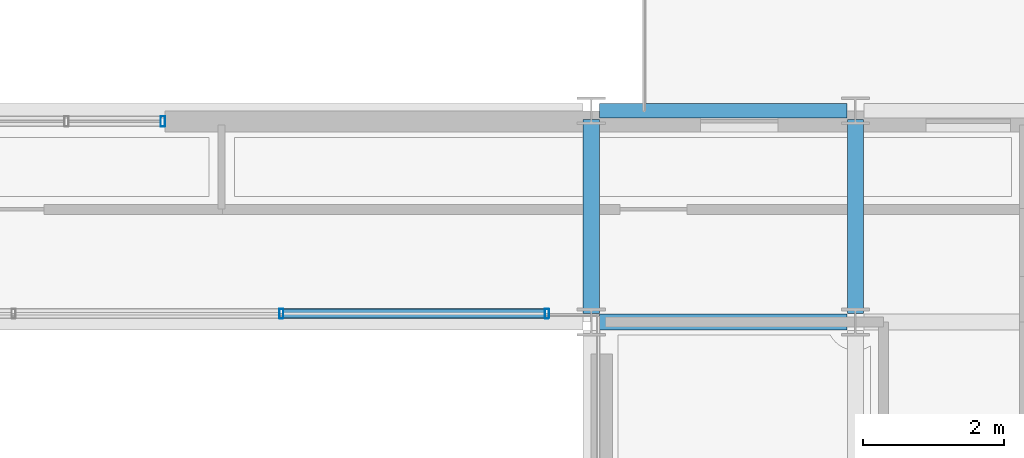
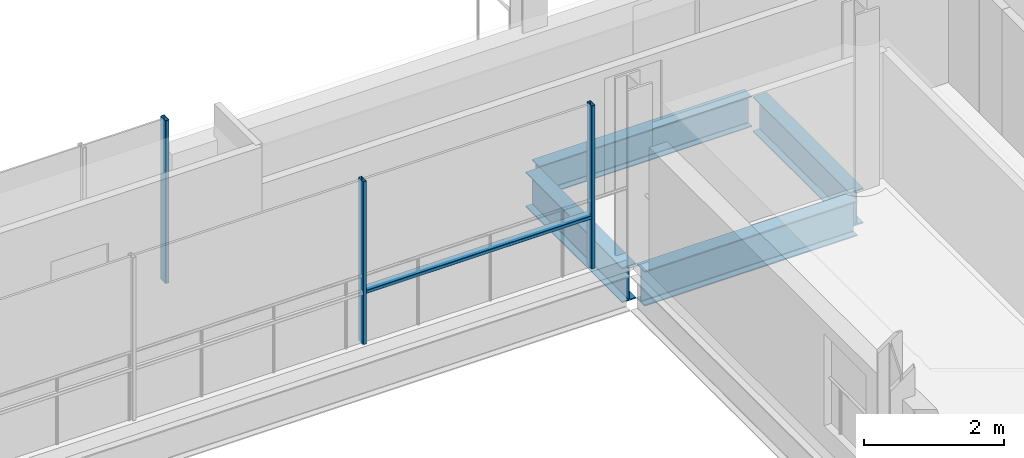
# One storey, part 20 of 36: 4 beams, 4 members, 2 elements without a shape of their own.
"""IFC4 building model written with IfcOpenShell, lengths in metres."""

from ifc_helpers import new_model, si_unit, direction, frame, origin, origin_2d, place, context, subcontext, project, spatial, hollow_rectangle, i_section, extrude, material, layer, layer_set, material_profile, profile_set, type_object, element, aggregate, save


model = new_model("IFC4")

# Units and contexts
model_context = context("Model", 3, precision=1e-05, world=origin(), true_north=direction((0.0, 1.0)))
body_context = subcontext(model_context, "Body", "Model", "MODEL_VIEW")
ifc_project = project(units=[si_unit("LENGTHUNIT", "METRE"), si_unit("AREAUNIT", "SQUARE_METRE"), si_unit("VOLUMEUNIT", "CUBIC_METRE"), si_unit("PLANEANGLEUNIT", "RADIAN"), si_unit("MASSUNIT", "GRAM", prefix="KILO")], contexts=[model_context])

# Site, building, storey
site_placement = place(None, origin())
site = spatial("IfcSite", under=ifc_project, at=site_placement, CompositionType="ELEMENT")
building_placement = place(site_placement, origin())
building = spatial("IfcBuilding", under=site, at=building_placement, Name="Brevholm Reach", CompositionType="ELEMENT")
storey_placement = place(building_placement, frame((0.0, 0.0, 175.89990234375)))
storey = spatial("IfcBuildingStorey", under=building, at=storey_placement, Name="L53", CompositionType="ELEMENT", Elevation=175.89990234375)

# Beams
ifc_material_1 = material(Name="Structural Steel S355J2", Category="steel")
ifc_material_profile_1 = material_profile(ifc_material_1, i_section(OverallWidth=0.209228515625, OverallDepth=0.533203125, WebThickness=0.010009765625, FlangeThickness=0.015625, FilletRadius=0.0126953125, at=origin_2d()), Name="UKB 533x210x92")
ifc_profile_set_1 = profile_set([ifc_material_profile_1], Name="Structural Steel S355J2")
beam_type_1 = type_object("IfcBeamType", Name="BM-SP533", PredefinedType="SPANDREL", material=ifc_profile_set_1)
beam_1_placement = place(storey_placement, frame((38.3701171875, 26.5, -0.4765625), z_axis=(1.0, 0.0, 0.0), x_axis=(0.0, 1.0, 0.0)))
element("IfcBeam", 1, at=beam_1_placement, inside=storey, type_object=beam_type_1, Name="L53 SP-02 Framing Beam", PredefinedType="SPANDREL", context=body_context, shape_type="SweptSolid", body=[
    extrude(i_section(OverallWidth=0.209228515625, OverallDepth=0.533203125, WebThickness=0.010009765625, FlangeThickness=0.015625, FilletRadius=0.0126953125, at=origin_2d()), origin(), (0.0, 0.0, 1.0), 3.509765625),
])
ifc_material_2 = material(Name="Structural Steel S355J2", Category="steel")
ifc_material_profile_2 = material_profile(ifc_material_2, i_section(OverallWidth=0.22900390625, OverallDepth=0.6123046875, WebThickness=0.011962890625, FlangeThickness=0.01953125, FilletRadius=0.0126953125, at=origin_2d()), Name="UKB 610x229x125")
ifc_profile_set_2 = profile_set([ifc_material_profile_2], Name="Structural Steel S355J2")
beam_type_2 = type_object("IfcBeamType", Name="BM-SP610", PredefinedType="SPANDREL", material=ifc_profile_set_2)
beam_2_placement = place(storey_placement, frame((38.3701171875, 23.5, -0.51611328125), z_axis=(1.0, 0.0, 0.0), x_axis=(0.0, 1.0, 0.0)))
element("IfcBeam", 2, at=beam_2_placement, inside=storey, type_object=beam_type_2, Name="L53 SP-01 Framing Beam", PredefinedType="SPANDREL", context=body_context, shape_type="SweptSolid", body=[
    extrude(i_section(OverallWidth=0.22900390625, OverallDepth=0.6123046875, WebThickness=0.011962890625, FlangeThickness=0.01953125, FilletRadius=0.0126953125, at=origin_2d()), origin(), (0.0, 0.0, 1.0), 3.509765625),
])
for number, where, z_axis, x_axis, name in (
    (3, (38.25, 23.6201171875, -0.51611328125), (0.0, 1.0, 0.0), (-1.0, 0.0, 0.0), "L53 SP-01 Framing Beam"),
    (4, (42.0, 23.6201171875, -0.51611328125), (0.0, 1.0, 0.0), (-1.0, 0.0, 0.0), "L53 SP-01 Framing Beam"),
):
    element("IfcBeam", number, at=place(storey_placement, frame(where, z_axis=z_axis, x_axis=x_axis)), inside=storey, type_object=beam_type_2, Name=name, PredefinedType="SPANDREL", context=body_context, shape_type="SweptSolid", body=[
        extrude(i_section(OverallWidth=0.22900390625, OverallDepth=0.6123046875, WebThickness=0.011962890625, FlangeThickness=0.01953125, FilletRadius=0.0126953125, at=origin_2d()), origin(), (0.0, 0.0, 1.0), 2.759765625),
    ])

# Curtain wall, members
ifc_material_3 = material(Name="Dark Anodised Aluminium 6063-T6 and Solar-Control Glass", Category="aluminium")
ifc_layer_1 = layer(ifc_material_3, 0.139892578125)
ifc_layer_set_1 = layer_set([ifc_layer_1], Name="Dark Anodised Aluminium 6063-T6 and Solar-Control Glass")
curtain_wall_type_1 = type_object("IfcCurtainWallType", Name="CW-02", PredefinedType="NOTDEFINED", material=ifc_layer_set_1)
curtain_wall_1_placement = place(storey_placement, origin())
curtain_wall_1 = element("IfcCurtainWall", 5, at=curtain_wall_1_placement, inside=storey, type_object=curtain_wall_type_1, Name="L53 Curtain Wall CW-02", PredefinedType="NOTDEFINED")
ifc_material_4 = material(Name="Dark Anodised Aluminium 6063-T6", Category="aluminium")
ifc_material_profile_3 = material_profile(ifc_material_4, hollow_rectangle(XDim=0.06005859375, YDim=0.139892578125, WallThickness=0.0048828125, InnerFilletRadius=0.0048828125, OuterFilletRadius=0.010009765625, at=origin_2d()), Name="RHS 140x60x5")
ifc_profile_set_3 = profile_set([ifc_material_profile_3], Name="Dark Anodised Aluminium 6063-T6")
member_type_1 = type_object("IfcMemberType", Name="CWM-140", PredefinedType="MULLION", material=ifc_profile_set_3)
member_1_placement = place(storey_placement, frame((37.6201171875, 23.6201171875, 0.0), z_axis=(0.0, 0.0, 1.0), x_axis=(-1.0, 0.0, 0.0)))
member_1 = element("IfcMember", 6, at=member_1_placement, type_object=member_type_1, Name="CM-140 Mullion 1", PredefinedType="MULLION", context=body_context, shape_type="SweptSolid", body=[
    extrude(hollow_rectangle(XDim=0.06005859375, YDim=0.139892578125, WallThickness=0.0048828125, InnerFilletRadius=0.0048828125, OuterFilletRadius=0.010009765625, at=origin_2d()), origin(), (0.0, 0.0, 1.0), 2.840087890625),
])
member_2_placement = place(storey_placement, frame((33.85009765625, 23.6201171875, 0.0), z_axis=(0.0, 0.0, 1.0), x_axis=(-1.0, 0.0, 0.0)))
member_2 = element("IfcMember", 7, at=member_2_placement, type_object=member_type_1, Name="CM-140 Mullion 2", PredefinedType="MULLION", context=body_context, shape_type="SweptSolid", body=[
    extrude(hollow_rectangle(XDim=0.06005859375, YDim=0.139892578125, WallThickness=0.0048828125, InnerFilletRadius=0.0048828125, OuterFilletRadius=0.010009765625, at=origin_2d()), origin(), (0.0, 0.0, 1.0), 2.840087890625),
])

# Curtain wall, member
ifc_material_5 = material(Name="Dark Anodised Aluminium 6063-T6 and Solar-Control Glass", Category="aluminium")
ifc_layer_2 = layer(ifc_material_5, 0.14990234375)
ifc_layer_set_2 = layer_set([ifc_layer_2], Name="Dark Anodised Aluminium 6063-T6 and Solar-Control Glass")
curtain_wall_type_2 = type_object("IfcCurtainWallType", Name="CW-01", PredefinedType="NOTDEFINED", material=ifc_layer_set_2)
curtain_wall_2_placement = place(storey_placement, origin())
curtain_wall_2 = element("IfcCurtainWall", 8, at=curtain_wall_2_placement, inside=storey, type_object=curtain_wall_type_2, Name="L53 Curtain Wall CW-01", PredefinedType="NOTDEFINED")
ifc_material_6 = material(Name="Dark Anodised Aluminium 6063-T6", Category="aluminium")
ifc_material_profile_4 = material_profile(ifc_material_6, hollow_rectangle(XDim=0.06494140625, YDim=0.14990234375, WallThickness=0.0048828125, InnerFilletRadius=0.0048828125, OuterFilletRadius=0.010009765625, at=origin_2d()), Name="RHS 150x65x5")
ifc_profile_set_4 = profile_set([ifc_material_profile_4], Name="Dark Anodised Aluminium 6063-T6")
member_type_2 = type_object("IfcMemberType", Name="CWM-150", PredefinedType="MULLION", material=ifc_profile_set_4)
member_3_placement = place(storey_placement, frame((32.16748046875, 26.35009765625, 0.0), z_axis=(0.0, 0.0, 1.0), x_axis=(1.0, 0.0, 0.0)))
member_3 = element("IfcMember", 9, at=member_3_placement, type_object=member_type_2, Name="CM-150 Mullion 3", PredefinedType="MULLION", context=body_context, shape_type="SweptSolid", body=[
    extrude(hollow_rectangle(XDim=0.06494140625, YDim=0.14990234375, WallThickness=0.0048828125, InnerFilletRadius=0.0048828125, OuterFilletRadius=0.010009765625, at=origin_2d()), origin(), (0.0, 0.0, 1.0), 2.840087890625),
])
aggregate(curtain_wall_2, [member_3])

# Member
ifc_material_7 = material(Name="Dark Anodised Aluminium 6063-T6", Category="aluminium")
ifc_material_profile_5 = material_profile(ifc_material_7, hollow_rectangle(XDim=0.06005859375, YDim=0.139892578125, WallThickness=0.0048828125, InnerFilletRadius=0.0048828125, OuterFilletRadius=0.010009765625, at=origin_2d()), Name="RHS 140x60x5")
ifc_profile_set_5 = profile_set([ifc_material_profile_5], Name="Dark Anodised Aluminium 6063-T6")
member_type_3 = type_object("IfcMemberType", Name="CWT-140", PredefinedType="NOTDEFINED", material=ifc_profile_set_5)
member_4_placement = place(storey_placement, frame((37.590087890625, 23.6201171875, 0.900146484375), z_axis=(-1.0, 0.0, 0.0), x_axis=(0.0, 0.0, 1.0)))
member_4 = element("IfcMember", 10, at=member_4_placement, type_object=member_type_3, Name="CT-140 Transom 1.1", ObjectType="TRANSOM", PredefinedType="USERDEFINED", context=body_context, shape_type="SweptSolid", body=[
    extrude(hollow_rectangle(XDim=0.06005859375, YDim=0.139892578125, WallThickness=0.0048828125, InnerFilletRadius=0.0048828125, OuterFilletRadius=0.010009765625, at=origin_2d()), origin(), (0.0, 0.0, 1.0), 3.710205078125),
])

aggregate(curtain_wall_1, [member_1, member_2, member_4])

save(model, "model.ifc")
